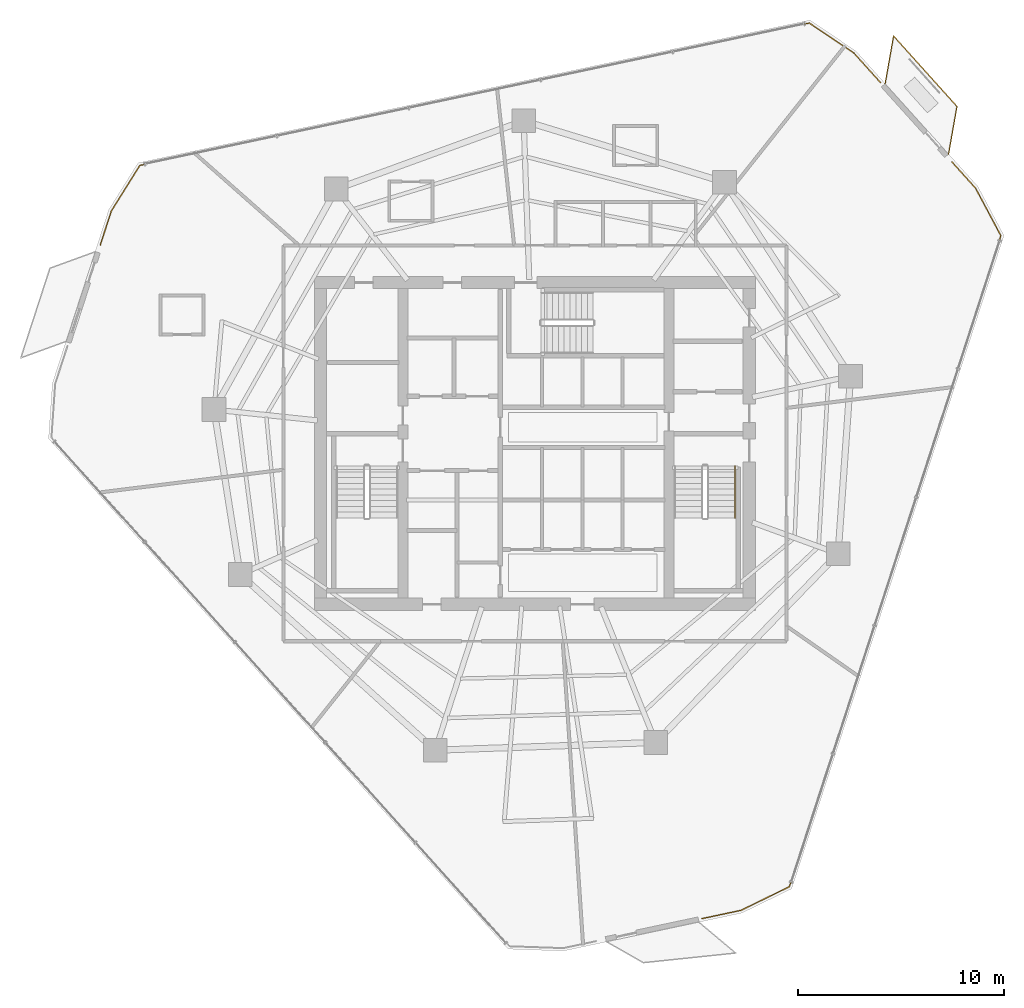
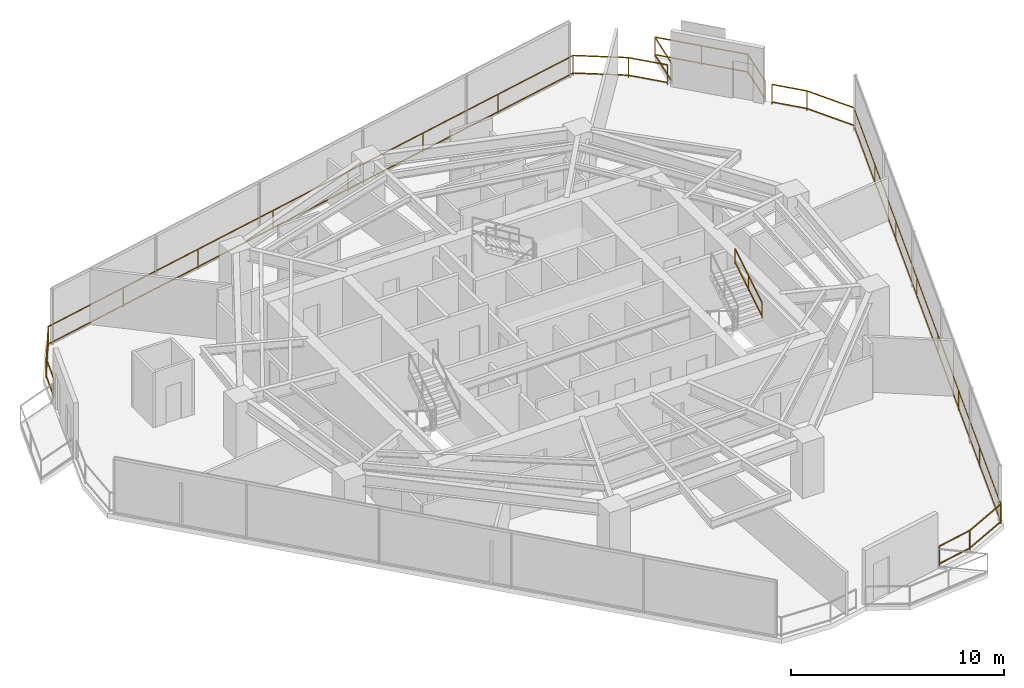
# One storey, part 27 of 27: 5 railings.
"""IFC4 building model written with IfcOpenShell, lengths in metres."""

from ifc_helpers import new_model, si_unit, direction, frame, origin, origin_2d, place, context, subcontext, project, spatial, rectangle, extrude, material, type_object, element, save


model = new_model("IFC4")

# Units and contexts
model_context = context("Model", 3, precision=1e-05, world=origin(), true_north=direction((0.0, 1.0)))
body_context = subcontext(model_context, "Body", "Model", "MODEL_VIEW")
ifc_project = project(units=[si_unit("LENGTHUNIT", "METRE"), si_unit("AREAUNIT", "SQUARE_METRE"), si_unit("VOLUMEUNIT", "CUBIC_METRE"), si_unit("PLANEANGLEUNIT", "RADIAN"), si_unit("MASSUNIT", "GRAM", prefix="KILO")], contexts=[model_context])

# Site, building, storey
site_placement = place(None, origin())
site = spatial("IfcSite", under=ifc_project, at=site_placement, CompositionType="ELEMENT")
building_placement = place(site_placement, origin())
building = spatial("IfcBuilding", under=site, at=building_placement, Name="Qarnah Convention Tower", CompositionType="ELEMENT")
storey_placement = place(building_placement, frame((0.0, 0.0, 110.85009765625)))
storey = spatial("IfcBuildingStorey", under=building, at=storey_placement, Name="L29", CompositionType="ELEMENT", Elevation=110.85009765625)

# Railings
ifc_material_1 = material(Name="Black anodised aluminium", Category="aluminium")
railing_type_1 = type_object("IfcRailingType", Name="RL-EXT-GUARD-1150", PredefinedType="GUARDRAIL", material=ifc_material_1)
railing_1_placement = place(storey_placement, frame((52.674072265625, 45.322998046875, 0.0)))
element("IfcRailing", 1, at=railing_1_placement, inside=storey, type_object=railing_type_1, Name="L29 slab-edge perimeter safety guard 01", PredefinedType="GUARDRAIL", context=body_context, shape_type="SweptSolid", body=[
    extrude(rectangle(XDim=0.048095703125, YDim=0.048095703125, at=origin_2d()), frame((0.0, 0.0, 1.1259765625), z_axis=(0.669173816739, -0.743105916401, 0.0), x_axis=(0.743105916401, 0.669173816739, 0.0)), (0.0, 0.0, 1.0), 1.93505859375),
    extrude(rectangle(XDim=0.048095703125, YDim=0.048095703125, at=origin_2d()), frame((0.0, 0.0, 0.1201171875), z_axis=(0.669173816739, -0.743105916401, 0.0), x_axis=(0.743105916401, 0.669173816739, 0.0)), (0.0, 0.0, 1.0), 1.93505859375),
    extrude(rectangle(XDim=0.0419921875, YDim=0.0419921875, at=origin_2d()), origin(), (0.0, 0.0, 1.0), 1.101806640625),
    extrude(rectangle(XDim=0.0419921875, YDim=0.0419921875, at=origin_2d()), frame((1.294921875, -1.43798828125, 0.0)), (0.0, 0.0, 1.0), 1.101806640625),
])
railing_2_placement = place(storey_placement, frame((57.419921875, 40.052001953125, 0.0)))
element("IfcRailing", 2, at=railing_2_placement, inside=storey, type_object=railing_type_1, Name="L29 slab-edge perimeter safety guard 02", PredefinedType="GUARDRAIL", context=body_context, shape_type="SweptSolid", body=[
    extrude(rectangle(XDim=0.048095703125, YDim=0.048095703125, at=origin_2d()), frame((0.0, 0.0, 1.1259765625), z_axis=(0.669019512111, -0.743244840154, 0.0), x_axis=(0.743244840154, 0.669019512111, 0.0)), (0.0, 0.0, 1.0), 1.7236328125),
    extrude(rectangle(XDim=0.048095703125, YDim=0.048095703125, at=origin_2d()), frame((0.0, 0.0, 0.1201171875), z_axis=(0.669019512111, -0.743244840154, 0.0), x_axis=(0.743244840154, 0.669019512111, 0.0)), (0.0, 0.0, 1.0), 1.7236328125),
    extrude(rectangle(XDim=0.048095703125, YDim=0.048095703125, at=origin_2d()), frame((1.153076171875, -1.281005859375, 1.1259765625), z_axis=(0.469490388019, -0.882937583048, 0.0), x_axis=(0.882937583048, 0.469490388019, 0.0)), (0.0, 0.0, 1.0), 2.609375),
    extrude(rectangle(XDim=0.048095703125, YDim=0.048095703125, at=origin_2d()), frame((1.153076171875, -1.281005859375, 0.1201171875), z_axis=(0.469490388019, -0.882937583048, 0.0), x_axis=(0.882937583048, 0.469490388019, 0.0)), (0.0, 0.0, 1.0), 2.609375),
    extrude(rectangle(XDim=0.048095703125, YDim=0.048095703125, at=origin_2d()), frame((2.378173828125, -3.5849609375, 1.1259765625), z_axis=(-0.30902637428, -0.951053468528, 0.0), x_axis=(0.951053468528, -0.30902637428, 0.0)), (0.0, 0.0, 1.0), 33.197998046875),
    extrude(rectangle(XDim=0.048095703125, YDim=0.048095703125, at=origin_2d()), frame((2.378173828125, -3.5849609375, 0.1201171875), z_axis=(-0.30902637428, -0.951053468528, 0.0), x_axis=(0.951053468528, -0.30902637428, 0.0)), (0.0, 0.0, 1.0), 33.197998046875),
    extrude(rectangle(XDim=0.048095703125, YDim=0.048095703125, at=origin_2d()), frame((-7.880859375, -35.157958984375, 1.1259765625), z_axis=(-0.89859754142, -0.438773812521, 0.0), x_axis=(0.438773812521, -0.89859754142, 0.0)), (0.0, 0.0, 1.0), 2.609619140625),
    extrude(rectangle(XDim=0.048095703125, YDim=0.048095703125, at=origin_2d()), frame((-7.880859375, -35.157958984375, 0.1201171875), z_axis=(-0.89859754142, -0.438773812521, 0.0), x_axis=(0.438773812521, -0.89859754142, 0.0)), (0.0, 0.0, 1.0), 2.609619140625),
    extrude(rectangle(XDim=0.048095703125, YDim=0.048095703125, at=origin_2d()), frame((-10.225830078125, -36.302978515625, 1.1259765625), z_axis=(-0.9781556431, -0.207873850863, 0.0), x_axis=(0.207873850863, -0.9781556431, 0.0)), (0.0, 0.0, 1.0), 1.934326171875),
    extrude(rectangle(XDim=0.048095703125, YDim=0.048095703125, at=origin_2d()), frame((-10.225830078125, -36.302978515625, 0.1201171875), z_axis=(-0.9781556431, -0.207873850863, 0.0), x_axis=(0.207873850863, -0.9781556431, 0.0)), (0.0, 0.0, 1.0), 1.934326171875),
    extrude(rectangle(XDim=0.0419921875, YDim=0.0419921875, at=origin_2d()), origin(), (0.0, 0.0, 1.0), 1.101806640625),
    extrude(rectangle(XDim=0.0419921875, YDim=0.0419921875, at=origin_2d()), frame((1.153076171875, -1.281005859375, 0.0)), (0.0, 0.0, 1.0), 1.101806640625),
    extrude(rectangle(XDim=0.0419921875, YDim=0.0419921875, at=origin_2d()), frame((2.378173828125, -3.5849609375, 0.0)), (0.0, 0.0, 1.0), 1.101806640625),
    extrude(rectangle(XDim=0.0419921875, YDim=0.0419921875, at=origin_2d()), frame((0.91259765625, -8.095458984375, 0.0)), (0.0, 0.0, 1.0), 1.101806640625),
    extrude(rectangle(XDim=0.0419921875, YDim=0.0419921875, at=origin_2d()), frame((-0.552978515625, -12.605712890625, 0.0)), (0.0, 0.0, 1.0), 1.101806640625),
    extrude(rectangle(XDim=0.0419921875, YDim=0.0419921875, at=origin_2d()), frame((-2.0185546875, -17.1162109375, 0.0)), (0.0, 0.0, 1.0), 1.101806640625),
    extrude(rectangle(XDim=0.0419921875, YDim=0.0419921875, at=origin_2d()), frame((-3.484130859375, -21.626708984375, 0.0)), (0.0, 0.0, 1.0), 1.101806640625),
    extrude(rectangle(XDim=0.0419921875, YDim=0.0419921875, at=origin_2d()), frame((-4.94970703125, -26.13720703125, 0.0)), (0.0, 0.0, 1.0), 1.101806640625),
    extrude(rectangle(XDim=0.0419921875, YDim=0.0419921875, at=origin_2d()), frame((-6.415283203125, -30.6474609375, 0.0)), (0.0, 0.0, 1.0), 1.101806640625),
    extrude(rectangle(XDim=0.0419921875, YDim=0.0419921875, at=origin_2d()), frame((-7.880859375, -35.157958984375, 0.0)), (0.0, 0.0, 1.0), 1.101806640625),
    extrude(rectangle(XDim=0.0419921875, YDim=0.0419921875, at=origin_2d()), frame((-10.225830078125, -36.302978515625, 0.0)), (0.0, 0.0, 1.0), 1.101806640625),
    extrude(rectangle(XDim=0.0419921875, YDim=0.0419921875, at=origin_2d()), frame((-12.117919921875, -36.705078125, 0.0)), (0.0, 0.0, 1.0), 1.101806640625),
])
railing_3_placement = place(storey_placement, frame((16.1220703125, 36.027099609375, 0.0)))
element("IfcRailing", 3, at=railing_3_placement, inside=storey, type_object=railing_type_1, Name="L29 slab-edge perimeter safety guard 04", PredefinedType="GUARDRAIL", context=body_context, shape_type="SweptSolid", body=[
    extrude(rectangle(XDim=0.048095703125, YDim=0.048095703125, at=origin_2d()), frame((0.0, 0.0, 1.1259765625), z_axis=(0.30924943221, 0.950980961259, 0.0), x_axis=(-0.950980961259, 0.30924943221, 0.0)), (0.0, 0.0, 1.0), 1.723388671875),
    extrude(rectangle(XDim=0.048095703125, YDim=0.048095703125, at=origin_2d()), frame((0.0, 0.0, 0.1201171875), z_axis=(0.30924943221, 0.950980961259, 0.0), x_axis=(-0.950980961259, 0.30924943221, 0.0)), (0.0, 0.0, 1.0), 1.723388671875),
    extrude(rectangle(XDim=0.048095703125, YDim=0.048095703125, at=origin_2d()), frame((0.532958984375, 1.638916015625, 1.1259765625), z_axis=(0.529998940003, 0.847998304005, 0.0), x_axis=(-0.847998304005, 0.529998940003, 0.0)), (0.0, 0.0, 1.0), 2.609619140625),
    extrude(rectangle(XDim=0.048095703125, YDim=0.048095703125, at=origin_2d()), frame((0.532958984375, 1.638916015625, 0.1201171875), z_axis=(0.529998940003, 0.847998304005, 0.0), x_axis=(-0.847998304005, 0.529998940003, 0.0)), (0.0, 0.0, 1.0), 2.609619140625),
    extrude(rectangle(XDim=0.048095703125, YDim=0.048095703125, at=origin_2d()), frame((1.916015625, 3.851806640625, 1.1259765625), z_axis=(0.97814301766, 0.207933251316, 0.0), x_axis=(-0.207933251316, 0.97814301766, 0.0)), (0.0, 0.0, 1.0), 33.198486328125),
    extrude(rectangle(XDim=0.048095703125, YDim=0.048095703125, at=origin_2d()), frame((1.916015625, 3.851806640625, 0.1201171875), z_axis=(0.97814301766, 0.207933251316, 0.0), x_axis=(-0.207933251316, 0.97814301766, 0.0)), (0.0, 0.0, 1.0), 33.198486328125),
    extrude(rectangle(XDim=0.048095703125, YDim=0.048095703125, at=origin_2d()), frame((34.388916015625, 10.7548828125, 1.1259765625), z_axis=(0.82904388238, -0.559183548657, 0.0), x_axis=(0.559183548657, 0.82904388238, 0.0)), (0.0, 0.0, 1.0), 2.609130859375),
    extrude(rectangle(XDim=0.048095703125, YDim=0.048095703125, at=origin_2d()), frame((34.388916015625, 10.7548828125, 0.1201171875), z_axis=(0.82904388238, -0.559183548657, 0.0), x_axis=(0.559183548657, 0.82904388238, 0.0)), (0.0, 0.0, 1.0), 2.609130859375),
    extrude(rectangle(XDim=0.0419921875, YDim=0.0419921875, at=origin_2d()), origin(), (0.0, 0.0, 1.0), 1.101806640625),
    extrude(rectangle(XDim=0.0419921875, YDim=0.0419921875, at=origin_2d()), frame((0.532958984375, 1.638916015625, 0.0)), (0.0, 0.0, 1.0), 1.101806640625),
    extrude(rectangle(XDim=0.0419921875, YDim=0.0419921875, at=origin_2d()), frame((1.916015625, 3.851806640625, 0.0)), (0.0, 0.0, 1.0), 1.101806640625),
    extrude(rectangle(XDim=0.0419921875, YDim=0.0419921875, at=origin_2d()), frame((6.554931640625, 4.837890625, 0.0)), (0.0, 0.0, 1.0), 1.101806640625),
    extrude(rectangle(XDim=0.0419921875, YDim=0.0419921875, at=origin_2d()), frame((11.194091796875, 5.82421875, 0.0)), (0.0, 0.0, 1.0), 1.101806640625),
    extrude(rectangle(XDim=0.0419921875, YDim=0.0419921875, at=origin_2d()), frame((15.8330078125, 6.810302734375, 0.0)), (0.0, 0.0, 1.0), 1.101806640625),
    extrude(rectangle(XDim=0.0419921875, YDim=0.0419921875, at=origin_2d()), frame((20.471923828125, 7.79638671875, 0.0)), (0.0, 0.0, 1.0), 1.101806640625),
    extrude(rectangle(XDim=0.0419921875, YDim=0.0419921875, at=origin_2d()), frame((25.11083984375, 8.782470703125, 0.0)), (0.0, 0.0, 1.0), 1.101806640625),
    extrude(rectangle(XDim=0.0419921875, YDim=0.0419921875, at=origin_2d()), frame((29.75, 9.768798828125, 0.0)), (0.0, 0.0, 1.0), 1.101806640625),
    extrude(rectangle(XDim=0.0419921875, YDim=0.0419921875, at=origin_2d()), frame((34.388916015625, 10.7548828125, 0.0)), (0.0, 0.0, 1.0), 1.101806640625),
    extrude(rectangle(XDim=0.0419921875, YDim=0.0419921875, at=origin_2d()), frame((36.552001953125, 9.2958984375, 0.0)), (0.0, 0.0, 1.0), 1.101806640625),
])
railing_4_placement = place(storey_placement, frame((54.18505859375, 43.845947265625, 0.0)))
element("IfcRailing", 4, at=railing_4_placement, inside=storey, type_object=railing_type_1, Name="L29 balcony safety guard BAL-L29-C1", PredefinedType="GUARDRAIL", context=body_context, shape_type="SweptSolid", body=[
    extrude(rectangle(XDim=0.048095703125, YDim=0.048095703125, at=origin_2d()), frame((0.0, 0.0, 1.1259765625), z_axis=(0.173767536909, 0.984786699299, 0.0), x_axis=(-0.984786699299, 0.173767536909, 0.0)), (0.0, 0.0, 1.0), 2.34765625),
    extrude(rectangle(XDim=0.048095703125, YDim=0.048095703125, at=origin_2d()), frame((0.0, 0.0, 0.1201171875), z_axis=(0.173767536909, 0.984786699299, 0.0), x_axis=(-0.984786699299, 0.173767536909, 0.0)), (0.0, 0.0, 1.0), 2.34765625),
    extrude(rectangle(XDim=0.048095703125, YDim=0.048095703125, at=origin_2d()), frame((0.407958984375, 2.31201171875, 1.1259765625), z_axis=(0.669169984941, -0.743109366953, 0.0), x_axis=(0.743109366953, 0.669169984941, 0.0)), (0.0, 0.0, 1.0), 4.599609375),
    extrude(rectangle(XDim=0.048095703125, YDim=0.048095703125, at=origin_2d()), frame((0.407958984375, 2.31201171875, 0.1201171875), z_axis=(0.669169984941, -0.743109366953, 0.0), x_axis=(0.743109366953, 0.669169984941, 0.0)), (0.0, 0.0, 1.0), 4.599609375),
    extrude(rectangle(XDim=0.048095703125, YDim=0.048095703125, at=origin_2d()), frame((3.48583984375, -1.10595703125, 1.1259765625), z_axis=(-0.173767536909, -0.984786699299, 0.0), x_axis=(0.984786699299, -0.173767536909, 0.0)), (0.0, 0.0, 1.0), 2.34765625),
    extrude(rectangle(XDim=0.048095703125, YDim=0.048095703125, at=origin_2d()), frame((3.48583984375, -1.10595703125, 0.1201171875), z_axis=(-0.173767536909, -0.984786699299, 0.0), x_axis=(0.984786699299, -0.173767536909, 0.0)), (0.0, 0.0, 1.0), 2.34765625),
    extrude(rectangle(XDim=0.0419921875, YDim=0.0419921875, at=origin_2d()), origin(), (0.0, 0.0, 1.0), 1.101806640625),
    extrude(rectangle(XDim=0.0419921875, YDim=0.0419921875, at=origin_2d()), frame((0.407958984375, 2.31201171875, 0.0)), (0.0, 0.0, 1.0), 1.101806640625),
    extrude(rectangle(XDim=0.0419921875, YDim=0.0419921875, at=origin_2d()), frame((1.94677734375, 0.60302734375, 0.0)), (0.0, 0.0, 1.0), 1.101806640625),
    extrude(rectangle(XDim=0.0419921875, YDim=0.0419921875, at=origin_2d()), frame((3.48583984375, -1.10595703125, 0.0)), (0.0, 0.0, 1.0), 1.101806640625),
    extrude(rectangle(XDim=0.0419921875, YDim=0.0419921875, at=origin_2d()), frame((3.077880859375, -3.41796875, 0.0)), (0.0, 0.0, 1.0), 1.101806640625),
])
ifc_material_2 = material(Name="Structural steel S355JR", Category="steel")
railing_type_2 = type_object("IfcRailingType", Name="RL-STAIR-HAND-900", PredefinedType="HANDRAIL", material=ifc_material_2)
railing_5_placement = place(storey_placement, frame((46.89990234375, 22.780029296875, 1.8974609375)))
element("IfcRailing", 5, at=railing_5_placement, inside=storey, type_object=railing_type_2, Name="L29 ST-2 stair handrail 2", PredefinedType="HANDRAIL", context=body_context, shape_type="SweptSolid", body=[
    extrude(rectangle(XDim=0.048095703125, YDim=0.048095703125, at=origin_2d()), frame((0.0, 0.0, 0.8759765625), z_axis=(0.0, 0.851400495292, 0.524516154772), x_axis=(-1.0, 0.0, 0.0)), (0.0, 0.0, 1.0), 2.9599609375),
    extrude(rectangle(XDim=0.048095703125, YDim=0.048095703125, at=origin_2d()), frame((0.0, 0.0, 0.1201171875), z_axis=(0.0, 0.851400495292, 0.524516154772), x_axis=(-1.0, 0.0, 0.0)), (0.0, 0.0, 1.0), 2.9599609375),
    extrude(rectangle(XDim=0.0419921875, YDim=0.0419921875, at=origin_2d()), origin(), (0.0, 0.0, 1.0), 0.851806640625),
    extrude(rectangle(XDim=0.0419921875, YDim=0.0419921875, at=origin_2d()), frame((0.0, 1.260009765625, 0.7763671875)), (0.0, 0.0, 1.0), 0.851806640625),
    extrude(rectangle(XDim=0.0419921875, YDim=0.0419921875, at=origin_2d()), frame((0.0, 2.52001953125, 1.552490234375)), (0.0, 0.0, 1.0), 0.851806640625),
])

save(model, "model.ifc")
